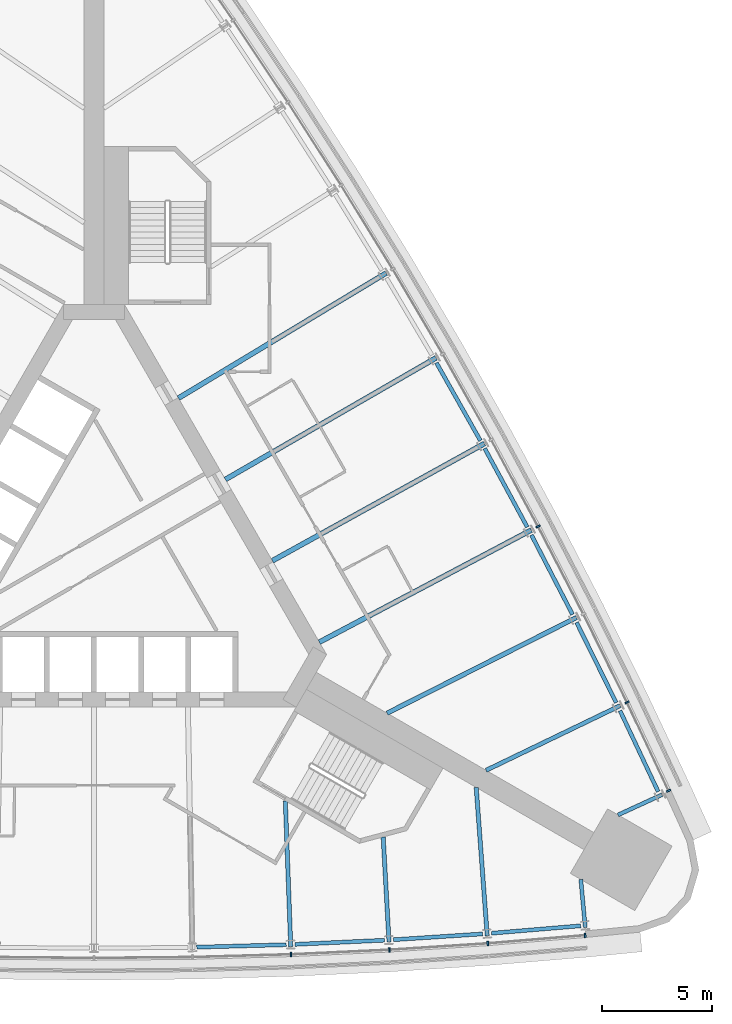
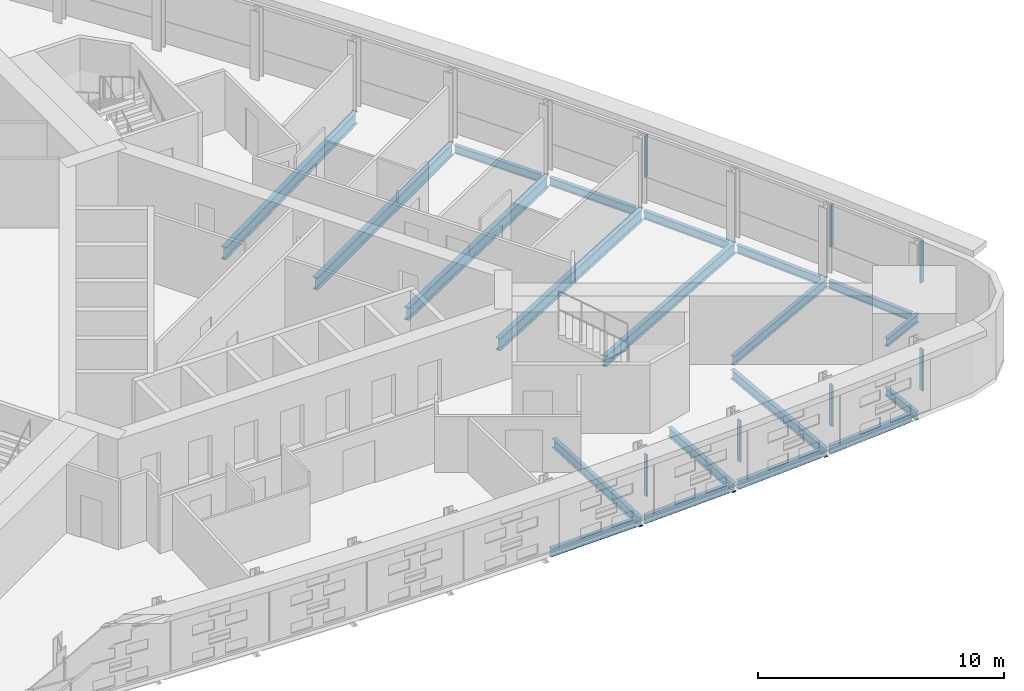
# One storey, part 6 of 15: 20 beams, 7 members, 2 elements without a shape of their own.
"""IFC4 building model written with IfcOpenShell, lengths in metres."""

from ifc_helpers import new_model, si_unit, direction, frame, origin, origin_2d, place, context, subcontext, project, spatial, rectangle, i_section, extrude, material, material_profile, profile_set, type_object, element, aggregate, save


model = new_model("IFC4")

# Units and contexts
model_context = context("Model", 3, precision=1e-05, world=origin(), true_north=direction((0.0, 1.0)))
body_context = subcontext(model_context, "Body", "Model", "MODEL_VIEW")
ifc_project = project(units=[si_unit("LENGTHUNIT", "METRE"), si_unit("AREAUNIT", "SQUARE_METRE"), si_unit("VOLUMEUNIT", "CUBIC_METRE"), si_unit("PLANEANGLEUNIT", "RADIAN"), si_unit("MASSUNIT", "GRAM", prefix="KILO")], contexts=[model_context])

# Site, building, storey
site_placement = place(None, origin())
site = spatial("IfcSite", under=ifc_project, at=site_placement, CompositionType="ELEMENT")
building_placement = place(site_placement, origin())
building = spatial("IfcBuilding", under=site, at=building_placement, Name="Noor Cloister Tower", CompositionType="ELEMENT")
storey_placement = place(building_placement, frame((0.0, 0.0, 27.60009765625)))
storey = spatial("IfcBuildingStorey", under=building, at=storey_placement, Name="L06", CompositionType="ELEMENT", Elevation=27.60009765625)

# Curtain wall, members
ifc_material_1 = material(Name="Aluminium 6063-T6 anodised", Category="aluminium")
curtain_wall_type = type_object("IfcCurtainWallType", Name="Ribbon curtain wall, lower tower CW1", PredefinedType="NOTDEFINED", material=ifc_material_1)
curtain_wall_1_placement = place(storey_placement, origin())
curtain_wall_1 = element("IfcCurtainWall", 1, at=curtain_wall_1_placement, inside=storey, type_object=curtain_wall_type, Name="CW1 L06 S run 2", PredefinedType="NOTDEFINED")
ifc_material_2 = material(Name="Aluminium 6063-T6 anodised", Category="aluminium")
ifc_material_profile_1 = material_profile(ifc_material_2, rectangle(XDim=0.199951171875, YDim=0.080078125, at=origin_2d()), Name="200 x 80 mullion")
ifc_profile_set_1 = profile_set([ifc_material_profile_1], Name="Aluminium 6063-T6 anodised")
member_type = type_object("IfcMemberType", Name="Mullion CW1 80 x 200", PredefinedType="MULLION", material=ifc_profile_set_1)
member_1_placement = place(storey_placement, frame((8.994140625, -18.21630859375, 1.099853515625), z_axis=(0.0, 0.0, 1.0), x_axis=(-0.037099278712, 0.999311584802, 0.0)))
member_1 = element("IfcMember", 2, at=member_1_placement, type_object=member_type, Name="CW1 mullion 8", PredefinedType="MULLION", context=body_context, shape_type="SweptSolid", body=[
    extrude(rectangle(XDim=0.199951171875, YDim=0.080078125, at=origin_2d()), origin(), (0.0, 0.0, 1.0), 2.050048828125),
])
member_2_placement = place(storey_placement, frame((13.487548828125, -18.007568359375, 1.099853515625), z_axis=(0.0, 0.0, 1.0), x_axis=(-0.055632953827, 0.99845128797, 0.0)))
member_2 = element("IfcMember", 3, at=member_2_placement, type_object=member_type, Name="CW1 mullion 9", PredefinedType="MULLION", context=body_context, shape_type="SweptSolid", body=[
    extrude(rectangle(XDim=0.199951171875, YDim=0.080078125, at=origin_2d()), origin(), (0.0, 0.0, 1.0), 2.050048828125),
])
member_3_placement = place(storey_placement, frame((17.97607421875, -17.7158203125, 1.099853515625), z_axis=(0.0, 0.0, 1.0), x_axis=(-0.074147478009, 0.997247287038, 0.0)))
member_3 = element("IfcMember", 4, at=member_3_placement, type_object=member_type, Name="CW1 mullion 10", PredefinedType="MULLION", context=body_context, shape_type="SweptSolid", body=[
    extrude(rectangle(XDim=0.199951171875, YDim=0.080078125, at=origin_2d()), origin(), (0.0, 0.0, 1.0), 2.050048828125),
])
member_4_placement = place(storey_placement, frame((22.41943359375, -17.343994140625, 1.099853515625), z_axis=(0.0, 0.0, 1.0), x_axis=(-0.083395566498, 0.996516522436, 0.0)))
member_4 = element("IfcMember", 5, at=member_4_placement, type_object=member_type, Name="CW1 mullion 11", PredefinedType="MULLION", context=body_context, shape_type="SweptSolid", body=[
    extrude(rectangle(XDim=0.199951171875, YDim=0.080078125, at=origin_2d()), origin(), (0.0, 0.0, 1.0), 2.050048828125),
])
aggregate(curtain_wall_1, [member_1, member_2, member_3, member_4])

curtain_wall_2_placement = place(storey_placement, origin())
curtain_wall_2 = element("IfcCurtainWall", 6, at=curtain_wall_2_placement, inside=storey, type_object=curtain_wall_type, Name="CW1 L06 NE run 3", PredefinedType="NOTDEFINED")
member_5_placement = place(storey_placement, frame((26.22998046875, -10.743896484375, 1.099853515625), z_axis=(0.0, 0.0, 1.0), x_axis=(-0.90470640697, -0.426035582068, 0.0)))
member_5 = element("IfcMember", 7, at=member_5_placement, type_object=member_type, Name="CW1 mullion 1", PredefinedType="MULLION", context=body_context, shape_type="SweptSolid", body=[
    extrude(rectangle(XDim=0.199951171875, YDim=0.080078125, at=origin_2d()), origin(), (0.0, 0.0, 1.0), 2.050048828125),
])
member_6_placement = place(storey_placement, frame((24.330322265625, -6.709716796875, 1.099853515625), z_axis=(0.0, 0.0, 1.0), x_axis=(-0.900715223435, -0.434410043937, 0.0)))
member_6 = element("IfcMember", 8, at=member_6_placement, type_object=member_type, Name="CW1 mullion 2", PredefinedType="MULLION", context=body_context, shape_type="SweptSolid", body=[
    extrude(rectangle(XDim=0.199951171875, YDim=0.080078125, at=origin_2d()), origin(), (0.0, 0.0, 1.0), 2.050048828125),
])
member_7_placement = place(storey_placement, frame((20.27294921875, 1.31884765625, 1.099853515625), z_axis=(0.0, 0.0, 1.0), x_axis=(-0.88397885809, -0.467526874574, 0.0)))
member_7 = element("IfcMember", 9, at=member_7_placement, type_object=member_type, Name="CW1 mullion 4", PredefinedType="MULLION", context=body_context, shape_type="SweptSolid", body=[
    extrude(rectangle(XDim=0.199951171875, YDim=0.080078125, at=origin_2d()), origin(), (0.0, 0.0, 1.0), 2.050048828125),
])
aggregate(curtain_wall_2, [member_5, member_6, member_7])

# Beams
ifc_material_3 = material(Name="Steel ASTM A992 Gr 50", Category="steel")
ifc_material_profile_2 = material_profile(ifc_material_3, i_section(OverallWidth=0.177978515625, OverallDepth=0.406005859375, WebThickness=0.0078125, FlangeThickness=0.0126953125, FilletRadius=0.01025390625, at=origin_2d()), Name="W410x60")
ifc_profile_set_2 = profile_set([ifc_material_profile_2], Name="Steel ASTM A992 Gr 50")
beam_type_1 = type_object("IfcBeamType", Name="Radial beam W410x60", PredefinedType="BEAM", material=ifc_profile_set_2)
for number, where, z_axis, x_axis, name in (
    (10, (22.42578125, -16.9892578125, -0.403076171875), (-0.092620817563, 0.995701453325, 0.0), (-0.995701453325, -0.092620817563, 0.0), "Radial beam S 11 L06"),
    (11, (25.926025390625, -10.9267578125, -0.403076171875), (-0.908618969654, -0.417626110276, 0.0), (0.417626110276, -0.908618969654, 0.0), "Radial beam NE 01 L06"),
):
    element("IfcBeam", number, at=place(storey_placement, frame(where, z_axis=z_axis, x_axis=x_axis)), inside=storey, type_object=beam_type_1, Name=name, PredefinedType="BEAM", context=body_context, shape_type="SweptSolid", body=[
        extrude(i_section(OverallWidth=0.177978515625, OverallDepth=0.406005859375, WebThickness=0.0078125, FlangeThickness=0.0126953125, FilletRadius=0.01025390625, at=origin_2d()), origin(), (0.0, 0.0, 1.0), 2.206298828125),
    ])
ifc_material_4 = material(Name="Steel ASTM A992 Gr 50", Category="steel")
ifc_material_profile_3 = material_profile(ifc_material_4, i_section(OverallWidth=0.19091796875, OverallDepth=0.45703125, WebThickness=0.009033203125, FlangeThickness=0.014404296875, FilletRadius=0.01025390625, at=origin_2d()), Name="W460x74")
ifc_profile_set_3 = profile_set([ifc_material_profile_3], Name="Steel ASTM A992 Gr 50")
beam_type_2 = type_object("IfcBeamType", Name="Radial beam W460x74", PredefinedType="BEAM", material=ifc_profile_set_3)
beam_1_placement = place(storey_placement, frame((8.981201171875, -17.863525390625, -0.4287109375), z_axis=(-0.037109214476, 0.999311215889, 0.0), x_axis=(-0.999311215889, -0.037109214476, 0.0)))
element("IfcBeam", 12, at=beam_1_placement, inside=storey, type_object=beam_type_2, Name="Radial beam S 08 L06", PredefinedType="BEAM", context=body_context, shape_type="SweptSolid", body=[
    extrude(i_section(OverallWidth=0.19091796875, OverallDepth=0.45703125, WebThickness=0.009033203125, FlangeThickness=0.014404296875, FilletRadius=0.01025390625, at=origin_2d()), origin(), (0.0, 0.0, 1.0), 6.66455078125),
])
beam_2_placement = place(storey_placement, frame((13.4677734375, -17.6552734375, -0.4287109375), z_axis=(-0.055605018021, 0.99845284414, 0.0), x_axis=(-0.99845284414, -0.055605018021, 0.0)))
element("IfcBeam", 13, at=beam_2_placement, inside=storey, type_object=beam_type_2, Name="Radial beam S 09 L06", PredefinedType="BEAM", context=body_context, shape_type="SweptSolid", body=[
    extrude(i_section(OverallWidth=0.19091796875, OverallDepth=0.45703125, WebThickness=0.009033203125, FlangeThickness=0.014404296875, FilletRadius=0.01025390625, at=origin_2d()), origin(), (0.0, 0.0, 1.0), 4.8076171875),
])
beam_3_placement = place(storey_placement, frame((17.949951171875, -17.36376953125, -0.4287109375), z_axis=(-0.074139211608, 0.997247901628, 0.0), x_axis=(-0.997247901628, -0.074139211608, 0.0)))
element("IfcBeam", 14, at=beam_3_placement, inside=storey, type_object=beam_type_2, Name="Radial beam S 10 L06", PredefinedType="BEAM", context=body_context, shape_type="SweptSolid", body=[
    extrude(i_section(OverallWidth=0.19091796875, OverallDepth=0.45703125, WebThickness=0.009033203125, FlangeThickness=0.014404296875, FilletRadius=0.01025390625, at=origin_2d()), origin(), (0.0, 0.0, 1.0), 6.790283203125),
])
beam_4_placement = place(storey_placement, frame((24.012451171875, -6.86328125, -0.4287109375), z_axis=(-0.900714671777, -0.434411187753, 0.0), x_axis=(0.434411187753, -0.900714671777, 0.0)))
element("IfcBeam", 15, at=beam_4_placement, inside=storey, type_object=beam_type_2, Name="Radial beam NE 02 L06", PredefinedType="BEAM", context=body_context, shape_type="SweptSolid", body=[
    extrude(i_section(OverallWidth=0.19091796875, OverallDepth=0.45703125, WebThickness=0.009033203125, FlangeThickness=0.014404296875, FilletRadius=0.01025390625, at=origin_2d()), origin(), (0.0, 0.0, 1.0), 6.7900390625),
])
ifc_material_5 = material(Name="Steel ASTM A992 Gr 50", Category="steel")
ifc_material_profile_4 = material_profile(ifc_material_5, i_section(OverallWidth=0.208984375, OverallDepth=0.532958984375, WebThickness=0.01025390625, FlangeThickness=0.015625, FilletRadius=0.0126953125, at=origin_2d()), Name="W530x92")
ifc_profile_set_4 = profile_set([ifc_material_profile_4], Name="Steel ASTM A992 Gr 50")
beam_type_3 = type_object("IfcBeamType", Name="Radial beam W530x92", PredefinedType="BEAM", material=ifc_profile_set_4)
beam_5_placement = place(storey_placement, frame((22.023681640625, -2.8359375, -0.466552734375), z_axis=(-0.892498290235, -0.451050775333, 0.0), x_axis=(0.451050775333, -0.892498290235, 0.0)))
element("IfcBeam", 16, at=beam_5_placement, inside=storey, type_object=beam_type_3, Name="Radial beam NE 03 L06", PredefinedType="BEAM", context=body_context, shape_type="SweptSolid", body=[
    extrude(i_section(OverallWidth=0.208984375, OverallDepth=0.532958984375, WebThickness=0.01025390625, FlangeThickness=0.015625, FilletRadius=0.0126953125, at=origin_2d()), origin(), (0.0, 0.0, 1.0), 9.68603515625),
])
ifc_material_6 = material(Name="Steel ASTM A992 Gr 50", Category="steel")
ifc_material_profile_5 = material_profile(ifc_material_6, i_section(OverallWidth=0.22900390625, OverallDepth=0.612060546875, WebThickness=0.011962890625, FlangeThickness=0.01953125, FilletRadius=0.0126953125, at=origin_2d()), Name="W610x125")
ifc_profile_set_5 = profile_set([ifc_material_profile_5], Name="Steel ASTM A992 Gr 50")
beam_type_4 = type_object("IfcBeamType", Name="Radial beam W610x125", PredefinedType="BEAM", material=ifc_profile_set_5)
beam_6_placement = place(storey_placement, frame((19.960693359375, 1.15380859375, -0.506103515625), z_axis=(-0.88397995674, -0.467524797291, 0.0), x_axis=(0.467524797291, -0.88397995674, 0.0)))
element("IfcBeam", 17, at=beam_6_placement, inside=storey, type_object=beam_type_4, Name="Radial beam NE 04 L06", PredefinedType="BEAM", context=body_context, shape_type="SweptSolid", body=[
    extrude(i_section(OverallWidth=0.22900390625, OverallDepth=0.612060546875, WebThickness=0.011962890625, FlangeThickness=0.01953125, FilletRadius=0.0126953125, at=origin_2d()), origin(), (0.0, 0.0, 1.0), 10.942626953125),
])
beam_7_placement = place(storey_placement, frame((17.82421875, 5.104736328125, -0.506103515625), z_axis=(-0.875148581024, -0.483854276753, 0.0), x_axis=(0.483854276753, -0.875148581024, 0.0)))
element("IfcBeam", 18, at=beam_7_placement, inside=storey, type_object=beam_type_4, Name="Radial beam NE 05 L06", PredefinedType="BEAM", context=body_context, shape_type="SweptSolid", body=[
    extrude(i_section(OverallWidth=0.22900390625, OverallDepth=0.612060546875, WebThickness=0.011962890625, FlangeThickness=0.01953125, FilletRadius=0.0126953125, at=origin_2d()), origin(), (0.0, 0.0, 1.0), 11.062255859375),
])
beam_8_placement = place(storey_placement, frame((15.614501953125, 9.01513671875, -0.506103515625), z_axis=(-0.86602188956, -0.500006086766, 0.0), x_axis=(0.500006086766, -0.86602188956, 0.0)))
element("IfcBeam", 19, at=beam_8_placement, inside=storey, type_object=beam_type_4, Name="Radial beam NE 06 L06", PredefinedType="BEAM", context=body_context, shape_type="SweptSolid", body=[
    extrude(i_section(OverallWidth=0.22900390625, OverallDepth=0.612060546875, WebThickness=0.011962890625, FlangeThickness=0.01953125, FilletRadius=0.0126953125, at=origin_2d()), origin(), (0.0, 0.0, 1.0), 11.101806640625),
])
beam_9_placement = place(storey_placement, frame((13.332763671875, 12.8837890625, -0.506103515625), z_axis=(-0.856603654805, -0.515974978633, 0.0), x_axis=(0.515974978633, -0.856603654805, 0.0)))
element("IfcBeam", 20, at=beam_9_placement, inside=storey, type_object=beam_type_4, Name="Radial beam NE 07 L06", PredefinedType="BEAM", context=body_context, shape_type="SweptSolid", body=[
    extrude(i_section(OverallWidth=0.22900390625, OverallDepth=0.612060546875, WebThickness=0.011962890625, FlangeThickness=0.01953125, FilletRadius=0.0126953125, at=origin_2d()), origin(), (0.0, 0.0, 1.0), 11.06201171875),
])
ifc_material_7 = material(Name="Steel ASTM A992 Gr 50", Category="steel")
ifc_material_profile_6 = material_profile(ifc_material_7, i_section(OverallWidth=0.177978515625, OverallDepth=0.406005859375, WebThickness=0.0078125, FlangeThickness=0.0126953125, FilletRadius=0.01025390625, at=origin_2d()), Name="W410x60")
ifc_profile_set_6 = profile_set([ifc_material_profile_6], Name="Steel ASTM A992 Gr 50")
beam_type_5 = type_object("IfcBeamType", Name="Spandrel beam W410x60", PredefinedType="SPANDREL", material=ifc_profile_set_6)
beam_10_placement = place(storey_placement, frame((4.69140625, -17.885986328125, -0.403076171875), z_axis=(0.999612252306, 0.027845018206, 0.0), x_axis=(-0.027845018206, 0.999612252306, 0.0)))
element("IfcBeam", 21, at=beam_10_placement, inside=storey, type_object=beam_type_5, Name="Spandrel beam S 07 L06", PredefinedType="SPANDREL", context=body_context, shape_type="SweptSolid", body=[
    extrude(i_section(OverallWidth=0.177978515625, OverallDepth=0.406005859375, WebThickness=0.0078125, FlangeThickness=0.0126953125, FilletRadius=0.01025390625, at=origin_2d()), origin(), (0.0, 0.0, 1.0), 4.085693359375),
])
beam_11_placement = place(storey_placement, frame((9.17919921875, -17.75732421875, -0.403076171875), z_axis=(0.998924467055, 0.04636711248, 0.0), x_axis=(-0.04636711248, 0.998924467055, 0.0)))
element("IfcBeam", 22, at=beam_11_placement, inside=storey, type_object=beam_type_5, Name="Spandrel beam S 08 L06", PredefinedType="SPANDREL", context=body_context, shape_type="SweptSolid", body=[
    extrude(i_section(OverallWidth=0.177978515625, OverallDepth=0.406005859375, WebThickness=0.0078125, FlangeThickness=0.0126953125, FilletRadius=0.01025390625, at=origin_2d()), origin(), (0.0, 0.0, 1.0), 4.0859375),
])
for number, where, z_axis, x_axis, name in (
    (23, (13.6640625, -17.545166015625, -0.403076171875), (0.997892236224, 0.064892872368, 0.0), (-0.064892872368, 0.997892236224, 0.0), "Spandrel beam S 09 L06"),
    (24, (18.14404296875, -17.250244140625, -0.403076171875), (0.99651478207, 0.083416360003, 0.0), (-0.083416360003, 0.99651478207, 0.0), "Spandrel beam S 10 L06"),
    (25, (25.751708984375, -10.784423828125, -0.403076171875), (-0.426056015387, 0.904696784427, 0.0), (-0.904696784427, -0.426056015387, 0.0), "Spandrel beam NE 01 L06"),
    (26, (23.835693359375, -6.72412109375, -0.403076171875), (-0.442786243303, 0.896627203882, 0.0), (-0.896627203882, -0.442786243303, 0.0), "Spandrel beam NE 02 L06"),
):
    element("IfcBeam", number, at=place(storey_placement, frame(where, z_axis=z_axis, x_axis=x_axis)), inside=storey, type_object=beam_type_5, Name=name, PredefinedType="SPANDREL", context=body_context, shape_type="SweptSolid", body=[
        extrude(i_section(OverallWidth=0.177978515625, OverallDepth=0.406005859375, WebThickness=0.0078125, FlangeThickness=0.0126953125, FilletRadius=0.01025390625, at=origin_2d()), origin(), (0.0, 0.0, 1.0), 4.085693359375),
    ])
for number, where, z_axis, x_axis, name in (
    (27, (21.844482421875, -2.7001953125, -0.403076171875), (-0.459314005258, 0.888273969321, 0.0), (-0.888273969321, -0.459314005258, 0.0), "Spandrel beam NE 03 L06"),
    (28, (19.779052734375, 1.2861328125, -0.403076171875), (-0.475688243293, 0.879613946679, 0.0), (-0.879613946679, -0.475688243293, 0.0), "Spandrel beam NE 04 L06"),
):
    element("IfcBeam", number, at=place(storey_placement, frame(where, z_axis=z_axis, x_axis=x_axis)), inside=storey, type_object=beam_type_5, Name=name, PredefinedType="SPANDREL", context=body_context, shape_type="SweptSolid", body=[
        extrude(i_section(OverallWidth=0.177978515625, OverallDepth=0.406005859375, WebThickness=0.0078125, FlangeThickness=0.0126953125, FilletRadius=0.01025390625, at=origin_2d()), origin(), (0.0, 0.0, 1.0), 4.0859375),
    ])
beam_12_placement = place(storey_placement, frame((17.639892578125, 5.233642578125, -0.403076171875), z_axis=(-0.491956835416, 0.870619590916, 0.0), x_axis=(-0.870619590916, -0.491956835416, 0.0)))
element("IfcBeam", 29, at=beam_12_placement, inside=storey, type_object=beam_type_5, Name="Spandrel beam NE 05 L06", PredefinedType="SPANDREL", context=body_context, shape_type="SweptSolid", body=[
    extrude(i_section(OverallWidth=0.177978515625, OverallDepth=0.406005859375, WebThickness=0.0078125, FlangeThickness=0.0126953125, FilletRadius=0.01025390625, at=origin_2d()), origin(), (0.0, 0.0, 1.0), 4.085693359375),
])

save(model, "model.ifc")
